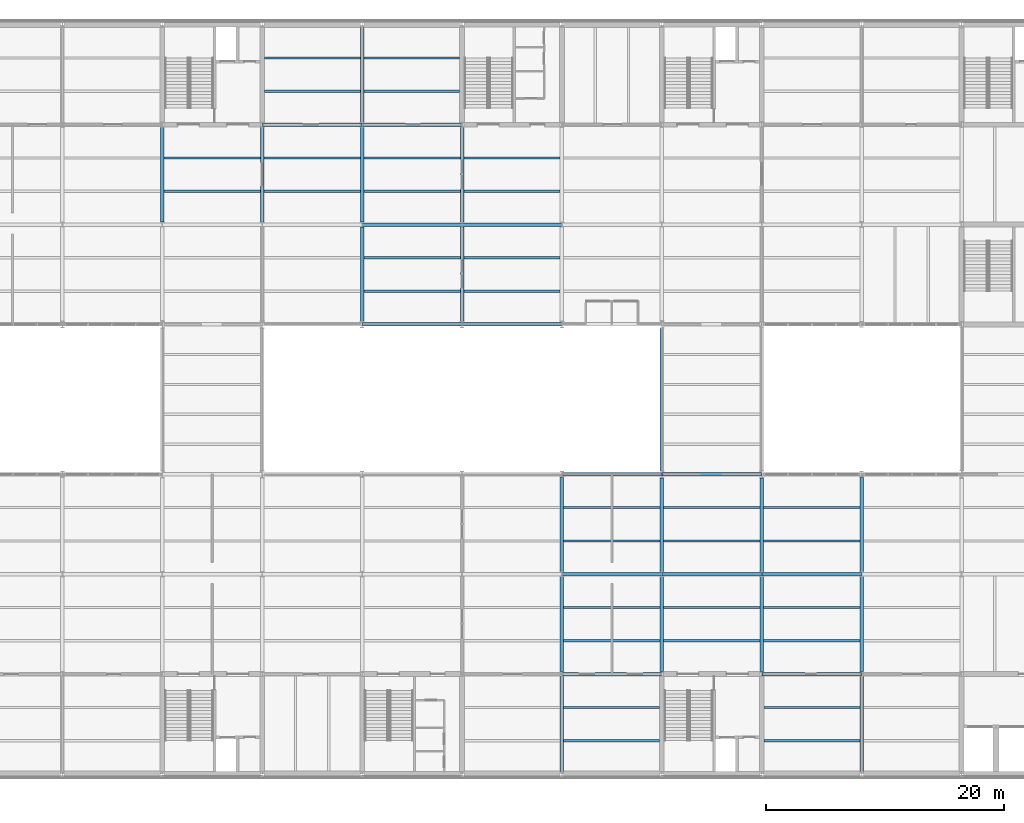
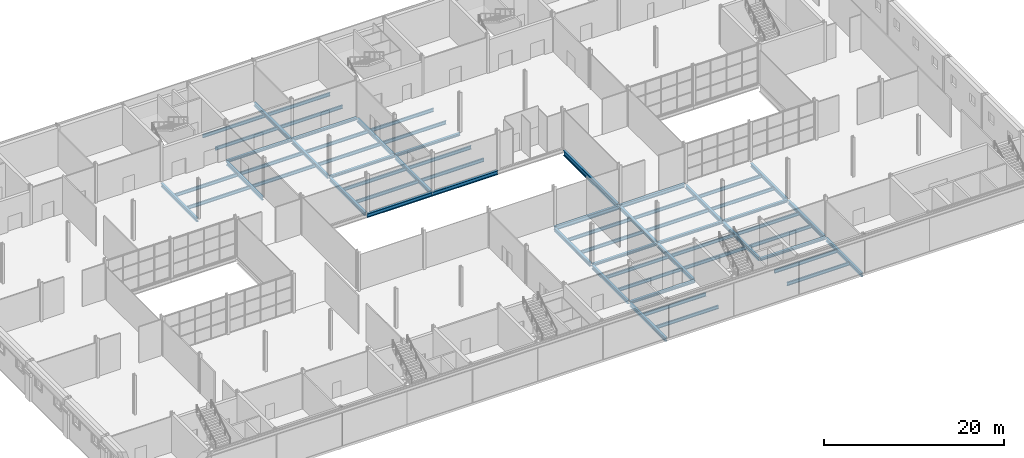
# One storey, part 17 of 57: 63 beams.
"""IFC4 building model written with IfcOpenShell, lengths in metres."""

import ifcopenshell
import ifcopenshell.guid

model = None  # the IFC model being written
_history = None  # IfcOwnerHistory: only IFC2X3 demands one
_inside = {}  # id of a spatial element -> (the spatial element, [elements in it])
_under = {}  # id of a project, library or spatial element -> (it, [spatial elements below it])
_declared = {}  # id of a project -> (the project, [libraries it declares])
_typed = {}  # id of a type object -> (the type object, [elements of that type])
_made_of = {}  # id of a material, layer set ... -> (it, [elements and type objects made of it])


def new_model(schema):
    """Start an empty IFC model of exactly this schema.

    Asked for "IFC4X3", IfcOpenShell would pick the latest addendum, in which some entities
    have other attributes; the version numbers below select the first issue.
    IFC2X3 requires an IfcOwnerHistory on every rooted entity: one is made here for all.
    """
    global model, _history
    if schema == "IFC4X3":
        model = ifcopenshell.file(schema_version=(4, 3, 0, 0))
    else:
        model = ifcopenshell.file(schema=schema)
    _inside.clear()
    _under.clear()
    _declared.clear()
    _typed.clear()
    _made_of.clear()
    _history = None
    if model.schema == "IFC2X3":
        org = make("IfcOrganization", Name="unknown")
        user = make(
            "IfcPersonAndOrganization",
            ThePerson=make("IfcPerson", FamilyName="unknown"),
            TheOrganization=org,
        )
        app = make(
            "IfcApplication",
            ApplicationDeveloper=org,
            Version="unknown",
            ApplicationFullName="unknown",
            ApplicationIdentifier="unknown",
        )
        _history = make(
            "IfcOwnerHistory",
            OwningUser=user,
            OwningApplication=app,
            ChangeAction="ADDED",
            CreationDate=0,
        )
    return model


def make(cls, **values):
    """One entity of the class cls with the attributes given. An attribute that is None is left unset."""
    return model.create_entity(
        cls, **{name: value for name, value in values.items() if value is not None}
    )


def rooted(cls, **values):
    """An entity with a GlobalId (a new one), such as an element, a storey or a relation."""
    return make(cls, GlobalId=ifcopenshell.guid.new(), OwnerHistory=_history, **values)


def si_unit(unit_type, name, prefix=None):
    """IfcSIUnit, for example si_unit("LENGTHUNIT", "METRE", prefix="MILLI")."""
    return make("IfcSIUnit", UnitType=unit_type, Prefix=prefix, Name=name)


def assignment(units):
    """IfcUnitAssignment: the units of a project."""
    return None if units is None else make("IfcUnitAssignment", Units=units)


def point(xyz):
    """IfcCartesianPoint."""
    return None if xyz is None else make("IfcCartesianPoint", Coordinates=xyz)


def direction(xyz):
    """IfcDirection."""
    return None if xyz is None else make("IfcDirection", DirectionRatios=xyz)


def frame(location, z_axis=None, x_axis=None):
    """IfcAxis2Placement3D, a coordinate frame: its origin and axes. An axis left out is left unset."""
    return make(
        "IfcAxis2Placement3D",
        Location=point(location),
        Axis=direction(z_axis),
        RefDirection=direction(x_axis),
    )


def frame_2d(location, x_axis=None):
    """IfcAxis2Placement2D, a coordinate frame in the plane: its origin and x axis."""
    return make(
        "IfcAxis2Placement2D", Location=point(location), RefDirection=direction(x_axis)
    )


def origin():
    """The frame at (0, 0, 0) with its axes left unset."""
    return frame((0.0, 0.0, 0.0))


def origin_2d():
    """The frame at (0, 0) in the plane with its x axis left unset."""
    return frame_2d((0.0, 0.0))


def place(relative_to, where):
    """IfcLocalPlacement: puts the frame where relative to a parent placement (None: the world)."""
    return make(
        "IfcLocalPlacement", PlacementRelTo=relative_to, RelativePlacement=where
    )


def context(
    kind, dimensions, precision=None, world=None, true_north=None, identifier=None
):
    """IfcGeometricRepresentationContext, for example the 3D "Model" context."""
    return make(
        "IfcGeometricRepresentationContext",
        ContextIdentifier=identifier,
        ContextType=kind,
        CoordinateSpaceDimension=dimensions,
        Precision=precision,
        WorldCoordinateSystem=world,
        TrueNorth=true_north,
    )


def subcontext(parent, identifier, kind, view, scale=None):
    """IfcGeometricRepresentationSubContext, for example "Body" below "Model"."""
    return make(
        "IfcGeometricRepresentationSubContext",
        ContextIdentifier=identifier,
        ContextType=kind,
        ParentContext=parent,
        TargetScale=scale,
        TargetView=view,
    )


def project(units=None, contexts=None):
    """IfcProject with its units and contexts."""
    return rooted(
        "IfcProject",
        Name="project",
        RepresentationContexts=contexts,
        UnitsInContext=assignment(units),
    )


def spatial(cls, under=None, at=None, **own):
    """A site, building, storey or space (cls), placed at a placement, below another one or the project."""
    s = rooted(cls, ObjectPlacement=at, **own)
    if under is not None:
        _under.setdefault(under.id(), (under, []))[1].append(s)
    return s


def profile(cls, at=None, kind="AREA", **sizes):
    """A parametric profile (cls). Its sizes go by their IFC names, for example OverallWidth=200.0."""
    return make(cls, ProfileType=kind, Position=at, **sizes)


def i_section(**sizes):
    """IfcIShapeProfileDef."""
    return profile("IfcIShapeProfileDef", **sizes)


def extrude(swept, where, along, depth):
    """IfcExtrudedAreaSolid: the profile swept, set in the frame where, extruded along a direction by depth."""
    return make(
        "IfcExtrudedAreaSolid",
        SweptArea=swept,
        Position=where,
        ExtrudedDirection=direction(along),
        Depth=depth,
    )


def shape(context_of_items, identifier, shape_type, items):
    """IfcShapeRepresentation: the items that make up one representation, for example the "Body"."""
    return make(
        "IfcShapeRepresentation",
        ContextOfItems=context_of_items,
        RepresentationIdentifier=identifier,
        RepresentationType=shape_type,
        Items=items,
    )


def material(Name=None, Category=None):
    """IfcMaterial."""
    return make("IfcMaterial", Name=Name, Category=Category)


def material_profile(
    of_material, cross_section, Name=None, Category=None, Priority=None
):
    """IfcMaterialProfile: a cross section and its material."""
    return make(
        "IfcMaterialProfile",
        Name=Name,
        Material=of_material,
        Profile=cross_section,
        Priority=Priority,
        Category=Category,
    )


def profile_set(profiles, Name=None, composite=None):
    """IfcMaterialProfileSet."""
    return make(
        "IfcMaterialProfileSet",
        Name=Name,
        MaterialProfiles=profiles,
        CompositeProfile=composite,
    )


def made_of(thing, what):
    """Note that an element or type object is made of a material, layer set ...; save() writes the relation."""
    if what is not None:
        _made_of.setdefault(what.id(), (what, []))[1].append(thing)
    return thing


def type_object(cls, material=None, **own):
    """A type object (cls), such as IfcWallType, which elements share."""
    return made_of(rooted(cls, **own), material)


def element(
    cls,
    number,
    at=None,
    inside=None,
    cuts=None,
    type_object=None,
    material=None,
    context=None,
    identifier="Body",
    shape_type=None,
    held_by="IfcProductDefinitionShape",
    body=None,
    shapes=None,
    **own,
):
    """One element of the class cls, such as IfcWall. Its Tag is "e" and its number.

    at: its placement. inside: the storey or other place that contains it. cuts: it is an
    opening in that element (IfcRelVoidsElement). A single representation is given by context,
    identifier, shape_type and body (its items); several are given by shapes. held_by: the class
    of the entity that holds the representations. save() writes the other relations.
    """
    e = rooted(cls, Tag="e%d" % number, ObjectPlacement=at, **own)
    if body is not None:
        shapes = [shape(context, identifier, shape_type, body)]
    if shapes is not None:
        e.Representation = make(held_by, Representations=shapes)
    if inside is not None:
        _inside.setdefault(inside.id(), (inside, []))[1].append(e)
    if cuts is not None:
        rooted(
            "IfcRelVoidsElement", RelatingBuildingElement=cuts, RelatedOpeningElement=e
        )
    if type_object is not None:
        _typed.setdefault(type_object.id(), (type_object, []))[1].append(e)
    return made_of(e, material)


def aggregate(whole, parts):
    """IfcRelAggregates: a whole, such as a stair, and the parts it consists of."""
    return rooted("IfcRelAggregates", RelatingObject=whole, RelatedObjects=parts)


def save(model, path):
    """Write the relations noted so far, then the file.

    IfcRelAggregates (storeys below a building ...), IfcRelContainedInSpatialStructure (elements
    in a storey), IfcRelDefinesByType, IfcRelAssociatesMaterial and IfcRelDeclares: one each for
    every whole, place, type object, material and project.
    """
    for whole, parts in _under.values():
        aggregate(whole, parts)
    for where, things in _inside.values():
        rooted(
            "IfcRelContainedInSpatialStructure",
            RelatedElements=things,
            RelatingStructure=where,
        )
    for kind, things in _typed.values():
        rooted("IfcRelDefinesByType", RelatedObjects=things, RelatingType=kind)
    for what, things in _made_of.values():
        rooted("IfcRelAssociatesMaterial", RelatedObjects=things, RelatingMaterial=what)
    for by, libraries in _declared.values():
        rooted("IfcRelDeclares", RelatingContext=by, RelatedDefinitions=libraries)
    model.write(path)


model = new_model("IFC4")

# Units and contexts
model_context = context("Model", 3, precision=1e-05, world=origin(), true_north=direction((0.0, 1.0)))
body_context = subcontext(model_context, "Body", "Model", "MODEL_VIEW")
ifc_project = project(units=[si_unit("LENGTHUNIT", "METRE"), si_unit("AREAUNIT", "SQUARE_METRE"), si_unit("VOLUMEUNIT", "CUBIC_METRE"), si_unit("PLANEANGLEUNIT", "RADIAN"), si_unit("MASSUNIT", "GRAM", prefix="KILO")], contexts=[model_context])

# Site, building, storey
site_placement = place(None, origin())
site = spatial("IfcSite", under=ifc_project, at=site_placement, CompositionType="ELEMENT")
building_placement = place(site_placement, origin())
building = spatial("IfcBuilding", under=site, at=building_placement, Name="Galleria Vessillo Department Store", CompositionType="ELEMENT")
storey_placement = place(building_placement, frame((0.0, 0.0, 25.800048828125)))
storey = spatial("IfcBuildingStorey", under=building, at=storey_placement, Name="L05", CompositionType="ELEMENT", Elevation=25.800048828125)

# Beams
ifc_material_1 = material(Name="Steel S355 J2", Category="steel")
ifc_material_profile_1 = material_profile(ifc_material_1, i_section(OverallWidth=0.300048828125, OverallDepth=0.489990234375, WebThickness=0.011962890625, FlangeThickness=0.02294921875, FilletRadius=0.027099609375, at=origin_2d()), Name="HEA 500")
ifc_profile_set_1 = profile_set([ifc_material_profile_1], Name="Steel S355 J2")
beam_type_1 = type_object("IfcBeamType", Name="Bridge girder HEA 500", PredefinedType="BEAM", material=ifc_profile_set_1)
beam_1_placement = place(storey_placement, frame((75.610595703125, 25.199951171875, -0.39501953125), z_axis=(1.0, 0.0, 0.0), x_axis=(0.0, 1.0, 0.0)))
element("IfcBeam", 1, at=beam_1_placement, inside=storey, type_object=beam_type_1, Name="S-BM-L05-BR-x25200-75611", PredefinedType="BEAM", context=body_context, shape_type="SweptSolid", body=[
    extrude(i_section(OverallWidth=0.300048828125, OverallDepth=0.489990234375, WebThickness=0.011962890625, FlangeThickness=0.02294921875, FilletRadius=0.027099609375, at=origin_2d()), origin(), (0.0, 0.0, 1.0), 8.378662109375),
])
ifc_material_2 = material(Name="Steel S355 J2", Category="steel")
ifc_material_profile_2 = material_profile(ifc_material_2, i_section(OverallWidth=0.300048828125, OverallDepth=0.68994140625, WebThickness=0.014404296875, FlangeThickness=0.027099609375, FilletRadius=0.027099609375, at=origin_2d()), Name="HEA 700")
ifc_profile_set_2 = profile_set([ifc_material_profile_2], Name="Steel S355 J2")
beam_type_2 = type_object("IfcBeamType", Name="Bridge girder HEA 700", PredefinedType="BEAM", material=ifc_profile_set_2)
beam_2_placement = place(storey_placement, frame((75.60009765625, 25.51025390625, -0.494873046875), z_axis=(0.0, 1.0, 0.0), x_axis=(-1.0, 0.0, 0.0)))
element("IfcBeam", 2, at=beam_2_placement, inside=storey, type_object=beam_type_2, Name="S-BM-L05-BR-y75600-25510", PredefinedType="BEAM", context=body_context, shape_type="SweptSolid", body=[
    extrude(i_section(OverallWidth=0.300048828125, OverallDepth=0.68994140625, WebThickness=0.014404296875, FlangeThickness=0.027099609375, FilletRadius=0.027099609375, at=origin_2d()), origin(), (0.0, 0.0, 1.0), 11.9794921875),
])
ifc_material_3 = material(Name="Steel S355 J2", Category="steel")
ifc_material_profile_3 = material_profile(ifc_material_3, i_section(OverallWidth=0.300048828125, OverallDepth=0.489990234375, WebThickness=0.011962890625, FlangeThickness=0.02294921875, FilletRadius=0.027099609375, at=origin_2d()), Name="HEA 500")
ifc_profile_set_3 = profile_set([ifc_material_profile_3], Name="Steel S355 J2")
beam_type_3 = type_object("IfcBeamType", Name="Floor girder HEA 500", PredefinedType="BEAM", material=ifc_profile_set_3)
for number, where, z_axis, x_axis, name in (
    (3, (33.60009765625, 46.400146484375, -0.39501953125), (0.0, 1.0, 0.0), (-1.0, 0.0, 0.0), "S-BM-L05-GI-y33600-46400"),
    (4, (42.0, 46.400146484375, -0.39501953125), (0.0, 1.0, 0.0), (-1.0, 0.0, 0.0), "S-BM-L05-GI-y42000-46400"),
):
    element("IfcBeam", number, at=place(storey_placement, frame(where, z_axis=z_axis, x_axis=x_axis)), inside=storey, type_object=beam_type_3, Name=name, PredefinedType="BEAM", context=body_context, shape_type="SweptSolid", body=[
        extrude(i_section(OverallWidth=0.300048828125, OverallDepth=0.489990234375, WebThickness=0.011962890625, FlangeThickness=0.02294921875, FilletRadius=0.027099609375, at=origin_2d()), origin(), (0.0, 0.0, 1.0), 7.999755859375),
    ])
beam_3_placement = place(storey_placement, frame((50.39990234375, 38.06201171875, -0.39501953125), z_axis=(0.0, 1.0, 0.0), x_axis=(-1.0, 0.0, 0.0)))
element("IfcBeam", 5, at=beam_3_placement, inside=storey, type_object=beam_type_3, Name="S-BM-L05-GI-y50400-38062", PredefinedType="BEAM", context=body_context, shape_type="SweptSolid", body=[
    extrude(i_section(OverallWidth=0.300048828125, OverallDepth=0.489990234375, WebThickness=0.011962890625, FlangeThickness=0.02294921875, FilletRadius=0.027099609375, at=origin_2d()), origin(), (0.0, 0.0, 1.0), 7.937744140625),
])
for number, where, z_axis, x_axis, name in (
    (6, (50.39990234375, 46.400146484375, -0.39501953125), (0.0, 1.0, 0.0), (-1.0, 0.0, 0.0), "S-BM-L05-GI-y50400-46400"),
    (7, (50.39990234375, 54.800048828125, -0.39501953125), (0.0, 1.0, 0.0), (-1.0, 0.0, 0.0), "S-BM-L05-GI-y50400-54800"),
):
    element("IfcBeam", number, at=place(storey_placement, frame(where, z_axis=z_axis, x_axis=x_axis)), inside=storey, type_object=beam_type_3, Name=name, PredefinedType="BEAM", context=body_context, shape_type="SweptSolid", body=[
        extrude(i_section(OverallWidth=0.300048828125, OverallDepth=0.489990234375, WebThickness=0.011962890625, FlangeThickness=0.02294921875, FilletRadius=0.027099609375, at=origin_2d()), origin(), (0.0, 0.0, 1.0), 7.999755859375),
    ])
beam_4_placement = place(storey_placement, frame((58.800048828125, 38.06201171875, -0.39501953125), z_axis=(0.0, 1.0, 0.0), x_axis=(-1.0, 0.0, 0.0)))
element("IfcBeam", 8, at=beam_4_placement, inside=storey, type_object=beam_type_3, Name="S-BM-L05-GI-y58800-38062", PredefinedType="BEAM", context=body_context, shape_type="SweptSolid", body=[
    extrude(i_section(OverallWidth=0.300048828125, OverallDepth=0.489990234375, WebThickness=0.011962890625, FlangeThickness=0.02294921875, FilletRadius=0.027099609375, at=origin_2d()), origin(), (0.0, 0.0, 1.0), 7.937744140625),
])
for number, where, z_axis, x_axis, name in (
    (9, (58.800048828125, 46.400146484375, -0.39501953125), (0.0, 1.0, 0.0), (-1.0, 0.0, 0.0), "S-BM-L05-GI-y58800-46400"),
    (10, (67.199951171875, 0.2001953125, -0.39501953125), (0.0, 1.0, 0.0), (-1.0, 0.0, 0.0), "S-BM-L05-GI-y67200-200"),
    (11, (67.199951171875, 8.60009765625, -0.39501953125), (0.0, 1.0, 0.0), (-1.0, 0.0, 0.0), "S-BM-L05-GI-y67200-8600"),
):
    element("IfcBeam", number, at=place(storey_placement, frame(where, z_axis=z_axis, x_axis=x_axis)), inside=storey, type_object=beam_type_3, Name=name, PredefinedType="BEAM", context=body_context, shape_type="SweptSolid", body=[
        extrude(i_section(OverallWidth=0.300048828125, OverallDepth=0.489990234375, WebThickness=0.011962890625, FlangeThickness=0.02294921875, FilletRadius=0.027099609375, at=origin_2d()), origin(), (0.0, 0.0, 1.0), 7.999755859375),
    ])
beam_5_placement = place(storey_placement, frame((67.199951171875, 17.000244140625, -0.39501953125), z_axis=(0.0, 1.0, 0.0), x_axis=(-1.0, 0.0, 0.0)))
element("IfcBeam", 12, at=beam_5_placement, inside=storey, type_object=beam_type_3, Name="S-BM-L05-GI-y67200-17000", PredefinedType="BEAM", context=body_context, shape_type="SweptSolid", body=[
    extrude(i_section(OverallWidth=0.300048828125, OverallDepth=0.489990234375, WebThickness=0.011962890625, FlangeThickness=0.02294921875, FilletRadius=0.027099609375, at=origin_2d()), origin(), (0.0, 0.0, 1.0), 7.937744140625),
])
beam_6_placement = place(storey_placement, frame((75.60009765625, 8.60009765625, -0.39501953125), z_axis=(0.0, 1.0, 0.0), x_axis=(-1.0, 0.0, 0.0)))
element("IfcBeam", 13, at=beam_6_placement, inside=storey, type_object=beam_type_3, Name="S-BM-L05-GI-y75600-8600", PredefinedType="BEAM", context=body_context, shape_type="SweptSolid", body=[
    extrude(i_section(OverallWidth=0.300048828125, OverallDepth=0.489990234375, WebThickness=0.011962890625, FlangeThickness=0.02294921875, FilletRadius=0.027099609375, at=origin_2d()), origin(), (0.0, 0.0, 1.0), 7.999755859375),
])
beam_7_placement = place(storey_placement, frame((75.60009765625, 17.000244140625, -0.39501953125), z_axis=(0.0, 1.0, 0.0), x_axis=(-1.0, 0.0, 0.0)))
element("IfcBeam", 14, at=beam_7_placement, inside=storey, type_object=beam_type_3, Name="S-BM-L05-GI-y75600-17000", PredefinedType="BEAM", context=body_context, shape_type="SweptSolid", body=[
    extrude(i_section(OverallWidth=0.300048828125, OverallDepth=0.489990234375, WebThickness=0.011962890625, FlangeThickness=0.02294921875, FilletRadius=0.027099609375, at=origin_2d()), origin(), (0.0, 0.0, 1.0), 7.8896484375),
])
beam_8_placement = place(storey_placement, frame((84.0, 8.60009765625, -0.39501953125), z_axis=(0.0, 1.0, 0.0), x_axis=(-1.0, 0.0, 0.0)))
element("IfcBeam", 15, at=beam_8_placement, inside=storey, type_object=beam_type_3, Name="S-BM-L05-GI-y84000-8600", PredefinedType="BEAM", context=body_context, shape_type="SweptSolid", body=[
    extrude(i_section(OverallWidth=0.300048828125, OverallDepth=0.489990234375, WebThickness=0.011962890625, FlangeThickness=0.02294921875, FilletRadius=0.027099609375, at=origin_2d()), origin(), (0.0, 0.0, 1.0), 7.999755859375),
])
beam_9_placement = place(storey_placement, frame((84.0, 17.000244140625, -0.39501953125), z_axis=(0.0, 1.0, 0.0), x_axis=(-1.0, 0.0, 0.0)))
element("IfcBeam", 16, at=beam_9_placement, inside=storey, type_object=beam_type_3, Name="S-BM-L05-GI-y84000-17000", PredefinedType="BEAM", context=body_context, shape_type="SweptSolid", body=[
    extrude(i_section(OverallWidth=0.300048828125, OverallDepth=0.489990234375, WebThickness=0.011962890625, FlangeThickness=0.02294921875, FilletRadius=0.027099609375, at=origin_2d()), origin(), (0.0, 0.0, 1.0), 7.8896484375),
])
for number, where, z_axis, x_axis, name in (
    (17, (92.39990234375, 0.2001953125, -0.39501953125), (0.0, 1.0, 0.0), (-1.0, 0.0, 0.0), "S-BM-L05-GI-y92400-200"),
    (18, (92.39990234375, 8.60009765625, -0.39501953125), (0.0, 1.0, 0.0), (-1.0, 0.0, 0.0), "S-BM-L05-GI-y92400-8600"),
):
    element("IfcBeam", number, at=place(storey_placement, frame(where, z_axis=z_axis, x_axis=x_axis)), inside=storey, type_object=beam_type_3, Name=name, PredefinedType="BEAM", context=body_context, shape_type="SweptSolid", body=[
        extrude(i_section(OverallWidth=0.300048828125, OverallDepth=0.489990234375, WebThickness=0.011962890625, FlangeThickness=0.02294921875, FilletRadius=0.027099609375, at=origin_2d()), origin(), (0.0, 0.0, 1.0), 7.999755859375),
    ])
beam_10_placement = place(storey_placement, frame((92.39990234375, 17.000244140625, -0.39501953125), z_axis=(0.0, 1.0, 0.0), x_axis=(-1.0, 0.0, 0.0)))
element("IfcBeam", 19, at=beam_10_placement, inside=storey, type_object=beam_type_3, Name="S-BM-L05-GI-y92400-17000", PredefinedType="BEAM", context=body_context, shape_type="SweptSolid", body=[
    extrude(i_section(OverallWidth=0.300048828125, OverallDepth=0.489990234375, WebThickness=0.011962890625, FlangeThickness=0.02294921875, FilletRadius=0.027099609375, at=origin_2d()), origin(), (0.0, 0.0, 1.0), 7.937744140625),
])
ifc_material_4 = material(Name="Steel S355 J2", Category="steel")
ifc_material_profile_4 = material_profile(ifc_material_4, i_section(OverallWidth=0.18994140625, OverallDepth=0.449951171875, WebThickness=0.009521484375, FlangeThickness=0.0146484375, FilletRadius=0.02099609375, at=origin_2d()), Name="IPE 450")
ifc_profile_set_4 = profile_set([ifc_material_profile_4], Name="Steel S355 J2")
beam_type_4 = type_object("IfcBeamType", Name="Floor joist IPE 450", PredefinedType="JOIST", material=ifc_profile_set_4)
for number, where, z_axis, x_axis, name in (
    (20, (33.750244140625, 49.0, -0.375), (1.0, 0.0, 0.0), (0.0, 1.0, 0.0), "S-BM-L05-JO-x49000-33750"),
    (21, (33.750244140625, 51.800048828125, -0.375), (1.0, 0.0, 0.0), (0.0, 1.0, 0.0), "S-BM-L05-JO-x51800-33750"),
    (22, (42.150146484375, 49.0, -0.375), (1.0, 0.0, 0.0), (0.0, 1.0, 0.0), "S-BM-L05-JO-x49000-42150"),
    (23, (42.150146484375, 51.800048828125, -0.375), (1.0, 0.0, 0.0), (0.0, 1.0, 0.0), "S-BM-L05-JO-x51800-42150"),
):
    element("IfcBeam", number, at=place(storey_placement, frame(where, z_axis=z_axis, x_axis=x_axis)), inside=storey, type_object=beam_type_4, Name=name, PredefinedType="JOIST", context=body_context, shape_type="SweptSolid", body=[
        extrude(i_section(OverallWidth=0.18994140625, OverallDepth=0.449951171875, WebThickness=0.009521484375, FlangeThickness=0.0146484375, FilletRadius=0.02099609375, at=origin_2d()), origin(), (0.0, 0.0, 1.0), 8.099609375),
    ])
for number, where, z_axis, x_axis, name in (
    (24, (42.2001953125, 57.39990234375, -0.375), (1.0, 0.0, 0.0), (0.0, 1.0, 0.0), "S-BM-L05-JO-x57400-42200"),
    (25, (42.2001953125, 60.199951171875, -0.375), (1.0, 0.0, 0.0), (0.0, 1.0, 0.0), "S-BM-L05-JO-x60200-42200"),
):
    element("IfcBeam", number, at=place(storey_placement, frame(where, z_axis=z_axis, x_axis=x_axis)), inside=storey, type_object=beam_type_4, Name=name, PredefinedType="JOIST", context=body_context, shape_type="SweptSolid", body=[
        extrude(i_section(OverallWidth=0.18994140625, OverallDepth=0.449951171875, WebThickness=0.009521484375, FlangeThickness=0.0146484375, FilletRadius=0.02099609375, at=origin_2d()), origin(), (0.0, 0.0, 1.0), 8.049560546875),
    ])
for number, where, z_axis, x_axis, name in (
    (26, (50.550048828125, 40.60009765625, -0.375), (1.0, 0.0, 0.0), (0.0, 1.0, 0.0), "S-BM-L05-JO-x40600-50550"),
    (27, (50.550048828125, 43.39990234375, -0.375), (1.0, 0.0, 0.0), (0.0, 1.0, 0.0), "S-BM-L05-JO-x43400-50550"),
    (28, (50.550048828125, 49.0, -0.375), (1.0, 0.0, 0.0), (0.0, 1.0, 0.0), "S-BM-L05-JO-x49000-50550"),
    (29, (50.550048828125, 51.800048828125, -0.375), (1.0, 0.0, 0.0), (0.0, 1.0, 0.0), "S-BM-L05-JO-x51800-50550"),
):
    element("IfcBeam", number, at=place(storey_placement, frame(where, z_axis=z_axis, x_axis=x_axis)), inside=storey, type_object=beam_type_4, Name=name, PredefinedType="JOIST", context=body_context, shape_type="SweptSolid", body=[
        extrude(i_section(OverallWidth=0.18994140625, OverallDepth=0.449951171875, WebThickness=0.009521484375, FlangeThickness=0.0146484375, FilletRadius=0.02099609375, at=origin_2d()), origin(), (0.0, 0.0, 1.0), 8.099853515625),
    ])
for number, where, z_axis, x_axis, name in (
    (30, (50.550048828125, 57.39990234375, -0.375), (1.0, 0.0, 0.0), (0.0, 1.0, 0.0), "S-BM-L05-JO-x57400-50550"),
    (31, (50.550048828125, 60.199951171875, -0.375), (1.0, 0.0, 0.0), (0.0, 1.0, 0.0), "S-BM-L05-JO-x60200-50550"),
):
    element("IfcBeam", number, at=place(storey_placement, frame(where, z_axis=z_axis, x_axis=x_axis)), inside=storey, type_object=beam_type_4, Name=name, PredefinedType="JOIST", context=body_context, shape_type="SweptSolid", body=[
        extrude(i_section(OverallWidth=0.18994140625, OverallDepth=0.449951171875, WebThickness=0.009521484375, FlangeThickness=0.0146484375, FilletRadius=0.02099609375, at=origin_2d()), origin(), (0.0, 0.0, 1.0), 8.0498046875),
    ])
for number, where, z_axis, x_axis, name in (
    (32, (58.9501953125, 40.60009765625, -0.375), (1.0, 0.0, 0.0), (0.0, 1.0, 0.0), "S-BM-L05-JO-x40600-58950"),
    (33, (58.9501953125, 43.39990234375, -0.375), (1.0, 0.0, 0.0), (0.0, 1.0, 0.0), "S-BM-L05-JO-x43400-58950"),
    (34, (58.9501953125, 49.0, -0.375), (1.0, 0.0, 0.0), (0.0, 1.0, 0.0), "S-BM-L05-JO-x49000-58950"),
    (35, (58.9501953125, 51.800048828125, -0.375), (1.0, 0.0, 0.0), (0.0, 1.0, 0.0), "S-BM-L05-JO-x51800-58950"),
):
    element("IfcBeam", number, at=place(storey_placement, frame(where, z_axis=z_axis, x_axis=x_axis)), inside=storey, type_object=beam_type_4, Name=name, PredefinedType="JOIST", context=body_context, shape_type="SweptSolid", body=[
        extrude(i_section(OverallWidth=0.18994140625, OverallDepth=0.449951171875, WebThickness=0.009521484375, FlangeThickness=0.0146484375, FilletRadius=0.02099609375, at=origin_2d()), origin(), (0.0, 0.0, 1.0), 8.099609375),
    ])
for number, where, z_axis, x_axis, name in (
    (36, (67.35009765625, 2.800048828125, -0.375), (1.0, 0.0, 0.0), (0.0, 1.0, 0.0), "S-BM-L05-JO-x2800-67350"),
    (37, (67.35009765625, 5.60009765625, -0.375), (1.0, 0.0, 0.0), (0.0, 1.0, 0.0), "S-BM-L05-JO-x5600-67350"),
):
    element("IfcBeam", number, at=place(storey_placement, frame(where, z_axis=z_axis, x_axis=x_axis)), inside=storey, type_object=beam_type_4, Name=name, PredefinedType="JOIST", context=body_context, shape_type="SweptSolid", body=[
        extrude(i_section(OverallWidth=0.18994140625, OverallDepth=0.449951171875, WebThickness=0.009521484375, FlangeThickness=0.0146484375, FilletRadius=0.02099609375, at=origin_2d()), origin(), (0.0, 0.0, 1.0), 8.0498046875),
    ])
for number, where, z_axis, x_axis, name in (
    (38, (67.35009765625, 11.199951171875, -0.375), (1.0, 0.0, 0.0), (0.0, 1.0, 0.0), "S-BM-L05-JO-x11200-67350"),
    (39, (67.35009765625, 14.0, -0.375), (1.0, 0.0, 0.0), (0.0, 1.0, 0.0), "S-BM-L05-JO-x14000-67350"),
    (40, (67.35009765625, 19.60009765625, -0.375), (1.0, 0.0, 0.0), (0.0, 1.0, 0.0), "S-BM-L05-JO-x19600-67350"),
    (41, (67.35009765625, 22.39990234375, -0.375), (1.0, 0.0, 0.0), (0.0, 1.0, 0.0), "S-BM-L05-JO-x22400-67350"),
):
    element("IfcBeam", number, at=place(storey_placement, frame(where, z_axis=z_axis, x_axis=x_axis)), inside=storey, type_object=beam_type_4, Name=name, PredefinedType="JOIST", context=body_context, shape_type="SweptSolid", body=[
        extrude(i_section(OverallWidth=0.18994140625, OverallDepth=0.449951171875, WebThickness=0.009521484375, FlangeThickness=0.0146484375, FilletRadius=0.02099609375, at=origin_2d()), origin(), (0.0, 0.0, 1.0), 8.099853515625),
    ])
for number, where, z_axis, x_axis, name in (
    (42, (75.750244140625, 11.199951171875, -0.375), (1.0, 0.0, 0.0), (0.0, 1.0, 0.0), "S-BM-L05-JO-x11200-75750"),
    (43, (75.750244140625, 14.0, -0.375), (1.0, 0.0, 0.0), (0.0, 1.0, 0.0), "S-BM-L05-JO-x14000-75750"),
    (44, (75.750244140625, 19.60009765625, -0.375), (1.0, 0.0, 0.0), (0.0, 1.0, 0.0), "S-BM-L05-JO-x19600-75750"),
    (45, (75.750244140625, 22.39990234375, -0.375), (1.0, 0.0, 0.0), (0.0, 1.0, 0.0), "S-BM-L05-JO-x22400-75750"),
):
    element("IfcBeam", number, at=place(storey_placement, frame(where, z_axis=z_axis, x_axis=x_axis)), inside=storey, type_object=beam_type_4, Name=name, PredefinedType="JOIST", context=body_context, shape_type="SweptSolid", body=[
        extrude(i_section(OverallWidth=0.18994140625, OverallDepth=0.449951171875, WebThickness=0.009521484375, FlangeThickness=0.0146484375, FilletRadius=0.02099609375, at=origin_2d()), origin(), (0.0, 0.0, 1.0), 8.099609375),
    ])
for number, where, z_axis, x_axis, name in (
    (46, (84.2001953125, 2.800048828125, -0.375), (1.0, 0.0, 0.0), (0.0, 1.0, 0.0), "S-BM-L05-JO-x2800-84200"),
    (47, (84.2001953125, 5.60009765625, -0.375), (1.0, 0.0, 0.0), (0.0, 1.0, 0.0), "S-BM-L05-JO-x5600-84200"),
):
    element("IfcBeam", number, at=place(storey_placement, frame(where, z_axis=z_axis, x_axis=x_axis)), inside=storey, type_object=beam_type_4, Name=name, PredefinedType="JOIST", context=body_context, shape_type="SweptSolid", body=[
        extrude(i_section(OverallWidth=0.18994140625, OverallDepth=0.449951171875, WebThickness=0.009521484375, FlangeThickness=0.0146484375, FilletRadius=0.02099609375, at=origin_2d()), origin(), (0.0, 0.0, 1.0), 8.049560546875),
    ])
for number, where, z_axis, x_axis, name in (
    (48, (84.150146484375, 11.199951171875, -0.375), (1.0, 0.0, 0.0), (0.0, 1.0, 0.0), "S-BM-L05-JO-x11200-84150"),
    (49, (84.150146484375, 14.0, -0.375), (1.0, 0.0, 0.0), (0.0, 1.0, 0.0), "S-BM-L05-JO-x14000-84150"),
    (50, (84.150146484375, 19.60009765625, -0.375), (1.0, 0.0, 0.0), (0.0, 1.0, 0.0), "S-BM-L05-JO-x19600-84150"),
    (51, (84.150146484375, 22.39990234375, -0.375), (1.0, 0.0, 0.0), (0.0, 1.0, 0.0), "S-BM-L05-JO-x22400-84150"),
):
    element("IfcBeam", number, at=place(storey_placement, frame(where, z_axis=z_axis, x_axis=x_axis)), inside=storey, type_object=beam_type_4, Name=name, PredefinedType="JOIST", context=body_context, shape_type="SweptSolid", body=[
        extrude(i_section(OverallWidth=0.18994140625, OverallDepth=0.449951171875, WebThickness=0.009521484375, FlangeThickness=0.0146484375, FilletRadius=0.02099609375, at=origin_2d()), origin(), (0.0, 0.0, 1.0), 8.099609375),
    ])
ifc_material_5 = material(Name="Steel S355 J2", Category="steel")
ifc_material_profile_5 = material_profile(ifc_material_5, i_section(OverallWidth=0.300048828125, OverallDepth=0.35009765625, WebThickness=0.010009765625, FlangeThickness=0.017578125, FilletRadius=0.027099609375, at=origin_2d()), Name="HEA 360")
ifc_profile_set_5 = profile_set([ifc_material_profile_5], Name="Steel S355 J2")
beam_type_5 = type_object("IfcBeamType", Name="Floor tie girder HEA 360", PredefinedType="BEAM", material=ifc_profile_set_5)
for number, where, z_axis, x_axis, name in (
    (52, (67.206787109375, 8.39990234375, -0.324951171875), (1.0, 0.0, 0.0), (0.0, 1.0, 0.0), "S-BM-L05-TI-x8400-67207"),
    (53, (84.0068359375, 8.39990234375, -0.324951171875), (1.0, 0.0, 0.0), (0.0, 1.0, 0.0), "S-BM-L05-TI-x8400-84007"),
    (54, (67.206787109375, 16.800048828125, -0.324951171875), (1.0, 0.0, 0.0), (0.0, 1.0, 0.0), "S-BM-L05-TI-x16800-67207"),
    (55, (75.60693359375, 16.800048828125, -0.324951171875), (1.0, 0.0, 0.0), (0.0, 1.0, 0.0), "S-BM-L05-TI-x16800-75607"),
    (56, (84.0068359375, 16.800048828125, -0.324951171875), (1.0, 0.0, 0.0), (0.0, 1.0, 0.0), "S-BM-L05-TI-x16800-84007"),
    (57, (50.406982421875, 46.199951171875, -0.324951171875), (1.0, 0.0, 0.0), (0.0, 1.0, 0.0), "S-BM-L05-TI-x46200-50407"),
    (58, (58.806884765625, 46.199951171875, -0.324951171875), (1.0, 0.0, 0.0), (0.0, 1.0, 0.0), "S-BM-L05-TI-x46200-58807"),
    (59, (42.0068359375, 54.60009765625, -0.324951171875), (1.0, 0.0, 0.0), (0.0, 1.0, 0.0), "S-BM-L05-TI-x54600-42007"),
    (60, (50.406982421875, 54.60009765625, -0.324951171875), (1.0, 0.0, 0.0), (0.0, 1.0, 0.0), "S-BM-L05-TI-x54600-50407"),
):
    element("IfcBeam", number, at=place(storey_placement, frame(where, z_axis=z_axis, x_axis=x_axis)), inside=storey, type_object=beam_type_5, Name=name, PredefinedType="BEAM", context=body_context, shape_type="SweptSolid", body=[
        extrude(i_section(OverallWidth=0.300048828125, OverallDepth=0.35009765625, WebThickness=0.010009765625, FlangeThickness=0.017578125, FilletRadius=0.027099609375, at=origin_2d()), origin(), (0.0, 0.0, 1.0), 8.38623046875),
    ])
ifc_material_6 = material(Name="Steel S355 J2", Category="steel")
ifc_material_profile_6 = material_profile(ifc_material_6, i_section(OverallWidth=0.300048828125, OverallDepth=0.5400390625, WebThickness=0.012451171875, FlangeThickness=0.02392578125, FilletRadius=0.027099609375, at=origin_2d()), Name="HEA 550")
ifc_profile_set_6 = profile_set([ifc_material_profile_6], Name="Steel S355 J2")
beam_type_6 = type_object("IfcBeamType", Name="Trimmer beam HEA 550", PredefinedType="BEAM", material=ifc_profile_set_6)
for number, where, z_axis, x_axis, name in (
    (61, (67.210693359375, 25.199951171875, -0.419921875), (1.0, 0.0, 0.0), (0.0, 1.0, 0.0), "S-BM-L05-TR-x25200-67211"),
    (62, (50.41064453125, 37.800048828125, -0.419921875), (1.0, 0.0, 0.0), (0.0, 1.0, 0.0), "S-BM-L05-TR-x37800-50411"),
):
    element("IfcBeam", number, at=place(storey_placement, frame(where, z_axis=z_axis, x_axis=x_axis)), inside=storey, type_object=beam_type_6, Name=name, PredefinedType="BEAM", context=body_context, shape_type="SweptSolid", body=[
        extrude(i_section(OverallWidth=0.300048828125, OverallDepth=0.5400390625, WebThickness=0.012451171875, FlangeThickness=0.02392578125, FilletRadius=0.027099609375, at=origin_2d()), origin(), (0.0, 0.0, 1.0), 8.378662109375),
    ])
beam_11_placement = place(storey_placement, frame((58.810546875, 37.800048828125, -0.419921875), z_axis=(1.0, 0.0, 0.0), x_axis=(0.0, 1.0, 0.0)))
element("IfcBeam", 63, at=beam_11_placement, inside=storey, type_object=beam_type_6, Name="S-BM-L05-TR-x37800-58811", PredefinedType="BEAM", context=body_context, shape_type="SweptSolid", body=[
    extrude(i_section(OverallWidth=0.300048828125, OverallDepth=0.5400390625, WebThickness=0.012451171875, FlangeThickness=0.02392578125, FilletRadius=0.027099609375, at=origin_2d()), origin(), (0.0, 0.0, 1.0), 8.37890625),
])

save(model, "model.ifc")
